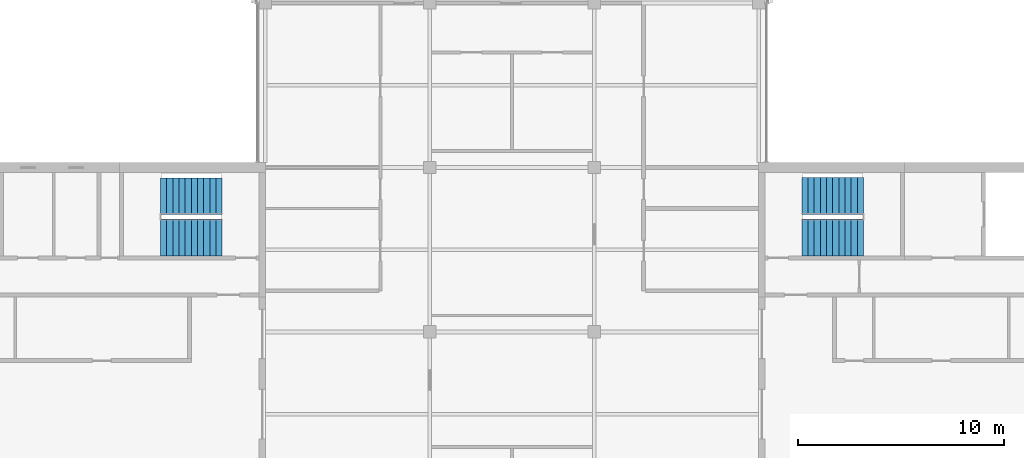
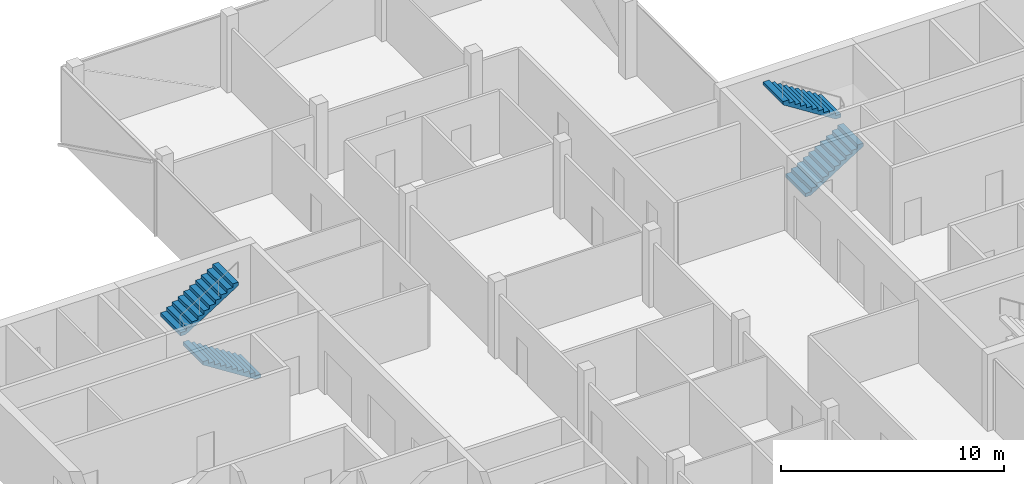
# One storey, part 13 of 16: 4 stair flights, 2 elements without a shape of their own.
"""IFC4 building model written with IfcOpenShell, lengths in metres."""

from ifc_helpers import new_model, si_unit, direction, frame, origin, place, context, subcontext, project, spatial, polyline, outline, extrude, material, type_object, element, aggregate, save


model = new_model("IFC4")

# Units and contexts
model_context = context("Model", 3, precision=1e-05, world=origin(), true_north=direction((0.0, 1.0)))
body_context = subcontext(model_context, "Body", "Model", "MODEL_VIEW")
ifc_project = project(units=[si_unit("LENGTHUNIT", "METRE"), si_unit("AREAUNIT", "SQUARE_METRE"), si_unit("VOLUMEUNIT", "CUBIC_METRE"), si_unit("PLANEANGLEUNIT", "RADIAN"), si_unit("MASSUNIT", "GRAM", prefix="KILO")], contexts=[model_context])

# Site, building, storey
site_placement = place(None, origin())
site = spatial("IfcSite", under=ifc_project, at=site_placement, CompositionType="ELEMENT")
building_placement = place(site_placement, origin())
building = spatial("IfcBuilding", under=site, at=building_placement, Name="Crosswind Convention Tower", CompositionType="ELEMENT")
storey_placement = place(building_placement, frame((0.0, 0.0, 336.5)))
storey = spatial("IfcBuildingStorey", under=building, at=storey_placement, Name="L73", CompositionType="ELEMENT", Elevation=336.5)

# Stair, stair flights
ifc_material = material(Name="Concrete C40/50", Category="concrete")
stair_type = type_object("IfcStairType", Name="Exit stair 1800 wide, 2 flights of 11 risers", PredefinedType="HALF_TURN_STAIR", material=ifc_material)
stair_1_placement = place(storey_placement, origin())
stair_1 = element("IfcStair", 1, at=stair_1_placement, inside=storey, type_object=stair_type, Name="Exit stair ST1 L73", ObjectType="ST5", PredefinedType="HALF_TURN_STAIR")
stair_flight_type = type_object("IfcStairFlightType", Name="Stair flight 1800 wide, 11 risers (SF4)", PredefinedType="STRAIGHT", material=ifc_material)
stair_flight_1_placement = place(storey_placement, frame((139.10009765625, 108.60009765625, 0.0), z_axis=(0.0, 0.0, 1.0), x_axis=(1.0, 0.0, 0.0)))
stair_flight_1 = element("IfcStairFlight", 2, at=stair_flight_1_placement, type_object=stair_flight_type, Name="ST1 flight 1", NumberOfRisers=11, NumberOfTreads=10, PredefinedType="STRAIGHT", RiserHeight=0.190909091, TreadLength=0.3, context=body_context, shape_type="SweptSolid", body=[
    extrude(outline(polyline([(0.0, 0.0), (0.0, 0.19091796875), (0.300048828125, 0.19091796875), (0.300048828125, 0.3818359375), (0.60009765625, 0.3818359375), (0.60009765625, 0.57275390625), (0.89990234375, 0.57275390625), (0.89990234375, 0.763671875), (1.199951171875, 0.763671875), (1.199951171875, 0.95458984375), (1.5, 0.95458984375), (1.5, 1.1455078125), (1.800048828125, 1.1455078125), (1.800048828125, 1.33642578125), (2.10009765625, 1.33642578125), (2.10009765625, 1.52734375), (2.39990234375, 1.52734375), (2.39990234375, 1.71826171875), (2.699951171875, 1.71826171875), (2.699951171875, 1.9091796875), (3.0, 1.9091796875), (3.0, 2.10009765625), (3.0, 1.7314453125), (0.279296875, 0.0), (0.0, 0.0)])), frame((0.0, 0.89990234375, 0.0), z_axis=(0.0, -1.0, 0.0), x_axis=(1.0, 0.0, 0.0)), (0.0, 0.0, 1.0), 1.800048828125),
])
stair_flight_2_placement = place(storey_placement, frame((142.10009765625, 110.60009765625, 2.10009765625), z_axis=(0.0, 0.0, 1.0), x_axis=(-1.0, 0.0, 0.0)))
stair_flight_2 = element("IfcStairFlight", 3, at=stair_flight_2_placement, type_object=stair_flight_type, Name="ST1 flight 2", NumberOfRisers=11, NumberOfTreads=10, PredefinedType="STRAIGHT", RiserHeight=0.190909091, TreadLength=0.3, context=body_context, shape_type="SweptSolid", body=[
    extrude(outline(polyline([(0.0, 0.0), (0.0, 0.19091796875), (0.300048828125, 0.19091796875), (0.300048828125, 0.3818359375), (0.60009765625, 0.3818359375), (0.60009765625, 0.57275390625), (0.89990234375, 0.57275390625), (0.89990234375, 0.763671875), (1.199951171875, 0.763671875), (1.199951171875, 0.95458984375), (1.5, 0.95458984375), (1.5, 1.1455078125), (1.800048828125, 1.1455078125), (1.800048828125, 1.33642578125), (2.10009765625, 1.33642578125), (2.10009765625, 1.52734375), (2.39990234375, 1.52734375), (2.39990234375, 1.71826171875), (2.699951171875, 1.71826171875), (2.699951171875, 1.9091796875), (3.0, 1.9091796875), (3.0, 2.10009765625), (3.0, 1.7314453125), (0.279296875, 0.0), (0.0, 0.0)])), frame((0.0, 0.89990234375, 0.0), z_axis=(0.0, -1.0, 0.0), x_axis=(1.0, 0.0, 0.0)), (0.0, 0.0, 1.0), 1.800048828125),
])
aggregate(stair_1, [stair_flight_1, stair_flight_2])

stair_2_placement = place(storey_placement, origin())
stair_2 = element("IfcStair", 4, at=stair_2_placement, inside=storey, type_object=stair_type, Name="Exit stair ST4 L73", ObjectType="ST5", PredefinedType="HALF_TURN_STAIR")
stair_flight_3_placement = place(storey_placement, frame((110.89990234375, 108.60009765625, 0.0), z_axis=(0.0, 0.0, 1.0), x_axis=(-1.0, 0.0, 0.0)))
stair_flight_3 = element("IfcStairFlight", 5, at=stair_flight_3_placement, type_object=stair_flight_type, Name="ST4 flight 1", NumberOfRisers=11, NumberOfTreads=10, PredefinedType="STRAIGHT", RiserHeight=0.190909091, TreadLength=0.3, context=body_context, shape_type="SweptSolid", body=[
    extrude(outline(polyline([(0.0, 0.0), (0.0, 0.19091796875), (0.300048828125, 0.19091796875), (0.300048828125, 0.3818359375), (0.60009765625, 0.3818359375), (0.60009765625, 0.57275390625), (0.89990234375, 0.57275390625), (0.89990234375, 0.763671875), (1.199951171875, 0.763671875), (1.199951171875, 0.95458984375), (1.5, 0.95458984375), (1.5, 1.1455078125), (1.800048828125, 1.1455078125), (1.800048828125, 1.33642578125), (2.10009765625, 1.33642578125), (2.10009765625, 1.52734375), (2.39990234375, 1.52734375), (2.39990234375, 1.71826171875), (2.699951171875, 1.71826171875), (2.699951171875, 1.9091796875), (3.0, 1.9091796875), (3.0, 2.10009765625), (3.0, 1.7314453125), (0.279296875, 0.0), (0.0, 0.0)])), frame((0.0, 0.89990234375, 0.0), z_axis=(0.0, -1.0, 0.0), x_axis=(1.0, 0.0, 0.0)), (0.0, 0.0, 1.0), 1.800048828125),
])
stair_flight_4_placement = place(storey_placement, frame((107.89990234375, 110.60009765625, 2.10009765625), z_axis=(0.0, 0.0, 1.0), x_axis=(1.0, 0.0, 0.0)))
stair_flight_4 = element("IfcStairFlight", 6, at=stair_flight_4_placement, type_object=stair_flight_type, Name="ST4 flight 2", NumberOfRisers=11, NumberOfTreads=10, PredefinedType="STRAIGHT", RiserHeight=0.190909091, TreadLength=0.3, context=body_context, shape_type="SweptSolid", body=[
    extrude(outline(polyline([(0.0, 0.0), (0.0, 0.19091796875), (0.300048828125, 0.19091796875), (0.300048828125, 0.3818359375), (0.60009765625, 0.3818359375), (0.60009765625, 0.57275390625), (0.89990234375, 0.57275390625), (0.89990234375, 0.763671875), (1.199951171875, 0.763671875), (1.199951171875, 0.95458984375), (1.5, 0.95458984375), (1.5, 1.1455078125), (1.800048828125, 1.1455078125), (1.800048828125, 1.33642578125), (2.10009765625, 1.33642578125), (2.10009765625, 1.52734375), (2.39990234375, 1.52734375), (2.39990234375, 1.71826171875), (2.699951171875, 1.71826171875), (2.699951171875, 1.9091796875), (3.0, 1.9091796875), (3.0, 2.10009765625), (3.0, 1.7314453125), (0.279296875, 0.0), (0.0, 0.0)])), frame((0.0, 0.89990234375, 0.0), z_axis=(0.0, -1.0, 0.0), x_axis=(1.0, 0.0, 0.0)), (0.0, 0.0, 1.0), 1.800048828125),
])
aggregate(stair_2, [stair_flight_3, stair_flight_4])

save(model, "model.ifc")
